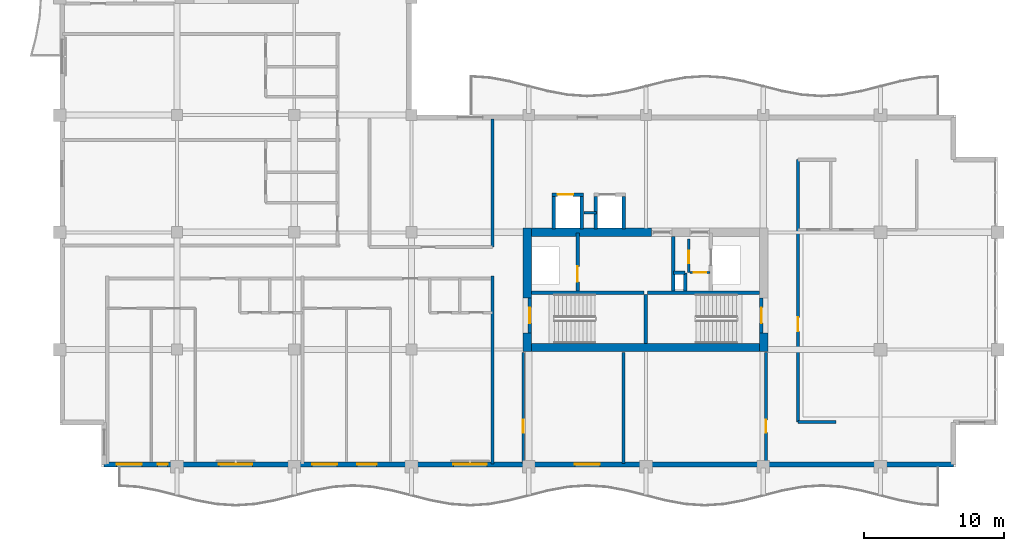
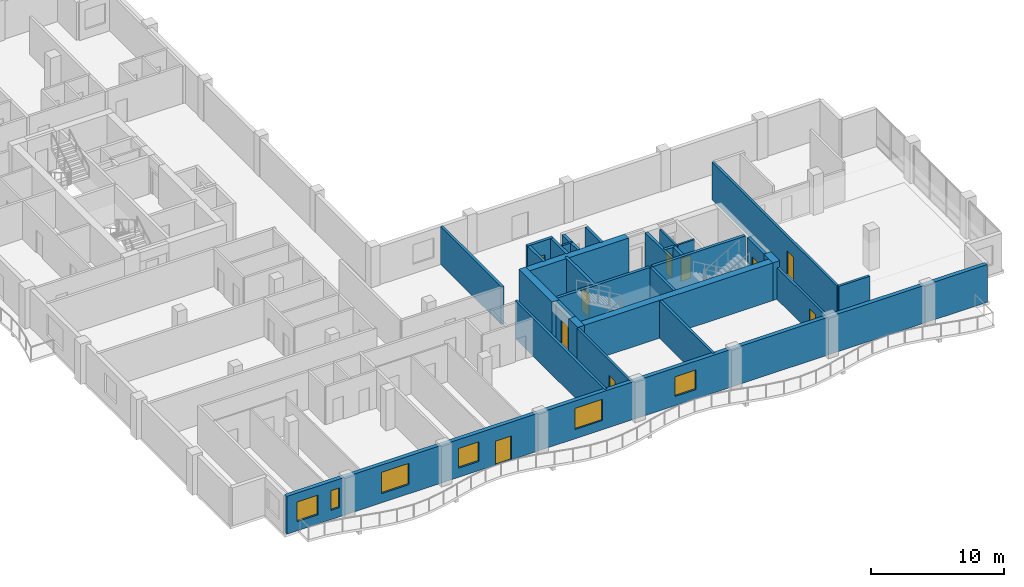
# One storey, part 7 of 16: 30 walls, 10 doors, 6 windows, 16 openings.
"""IFC4 building model written with IfcOpenShell, lengths in metres."""

from ifc_helpers import new_model, si_unit, direction, frame, frame_2d, origin, place, context, subcontext, project, spatial, rectangle, extrude, material, layer, layer_set, type_object, element, fill, save


model = new_model("IFC4")

# Units and contexts
model_context = context("Model", 3, precision=1e-05, world=origin(), true_north=direction((0.0, 1.0)))
body_context = subcontext(model_context, "Body", "Model", "MODEL_VIEW")
ifc_project = project(units=[si_unit("LENGTHUNIT", "METRE"), si_unit("AREAUNIT", "SQUARE_METRE"), si_unit("VOLUMEUNIT", "CUBIC_METRE"), si_unit("PLANEANGLEUNIT", "RADIAN"), si_unit("MASSUNIT", "GRAM", prefix="KILO")], contexts=[model_context])

# Site, building, storey
site_placement = place(None, origin())
site = spatial("IfcSite", under=ifc_project, at=site_placement, CompositionType="ELEMENT")
building_placement = place(site_placement, origin())
building = spatial("IfcBuilding", under=site, at=building_placement, Name="Koriwani Terraces Tower", CompositionType="ELEMENT")
storey_placement = place(building_placement, frame((0.0, 0.0, 260.10009765625)))
storey = spatial("IfcBuildingStorey", under=building, at=storey_placement, Name="L64", CompositionType="ELEMENT", Elevation=260.10009765625)

# Walls
ifc_material_1 = material(Name="Concrete C60/75", Category="concrete")
ifc_layer_1 = layer(ifc_material_1, 0.60009765625, Name="Concrete C60/75")
ifc_layer_set_1 = layer_set([ifc_layer_1], Name="Concrete C60/75")
wall_type_1 = type_object("IfcWallType", Name="WALL_CORE_RC_600", PredefinedType="SHEAR", material=ifc_layer_set_1)
wall_1_placement = place(storey_placement, frame((41.89990234375, 16.64990234375, 0.0), z_axis=(0.0, 0.0, 1.0), x_axis=(0.0, 1.0, 0.0)))
element("IfcWall", 1, at=wall_1_placement, inside=storey, type_object=wall_type_1, Name="L64 East Split Core Shear Wall W1", PredefinedType="SHEAR", context=body_context, shape_type="SweptSolid", body=[
    extrude(rectangle(XDim=1.35009765625, YDim=0.60009765625, at=frame_2d((0.675048828125, 0.0))), origin(), (0.0, 0.0, 1.0), 3.469970703125),
])
wall_2_placement = place(storey_placement, frame((41.89990234375, 20.5, 0.0), z_axis=(0.0, 0.0, 1.0), x_axis=(0.0, 1.0, 0.0)))
element("IfcWall", 2, at=wall_2_placement, inside=storey, type_object=wall_type_1, Name="L64 East Split Core Shear Wall W2", PredefinedType="SHEAR", context=body_context, shape_type="SweptSolid", body=[
    extrude(rectangle(XDim=5.0, YDim=0.60009765625, at=frame_2d((2.5, 0.0))), origin(), (0.0, 0.0, 1.0), 3.469970703125),
])
wall_3_placement = place(storey_placement, frame((58.85009765625, 16.64990234375, 0.0), z_axis=(0.0, 0.0, 1.0), x_axis=(0.0, 1.0, 0.0)))
element("IfcWall", 3, at=wall_3_placement, inside=storey, type_object=wall_type_1, Name="L64 East Split Core Shear Wall E1", PredefinedType="SHEAR", context=body_context, shape_type="SweptSolid", body=[
    extrude(rectangle(XDim=1.35009765625, YDim=0.60009765625, at=frame_2d((0.675048828125, 0.0))), origin(), (0.0, 0.0, 1.0), 3.469970703125),
])
wall_4_placement = place(storey_placement, frame((42.199951171875, 16.949951171875, 0.0), z_axis=(0.0, 0.0, 1.0), x_axis=(1.0, 0.0, 0.0)))
element("IfcWall", 4, at=wall_4_placement, inside=storey, type_object=wall_type_1, Name="L64 East Split Core Shear Wall S1", PredefinedType="SHEAR", context=body_context, shape_type="SweptSolid", body=[
    extrude(rectangle(XDim=16.35009765625, YDim=0.60009765625, at=frame_2d((8.175048828125, 0.0))), origin(), (0.0, 0.0, 1.0), 3.469970703125),
])
wall_5_placement = place(storey_placement, frame((42.199951171875, 25.199951171875, 0.0), z_axis=(0.0, 0.0, 1.0), x_axis=(1.0, 0.0, 0.0)))
element("IfcWall", 5, at=wall_5_placement, inside=storey, type_object=wall_type_1, Name="L64 East Split Core Shear Wall N1", PredefinedType="SHEAR", context=body_context, shape_type="SweptSolid", body=[
    extrude(rectangle(XDim=8.60009765625, YDim=0.60009765625, at=frame_2d((4.300048828125, 0.0))), origin(), (0.0, 0.0, 1.0), 3.469970703125),
])

# Wall, opening, door
ifc_material_2 = material(Name="Autoclaved Cellular Concrete Blockwork", Category="masonry")
ifc_layer_2 = layer(ifc_material_2, 0.199951171875, Name="Autoclaved Cellular Concrete Blockwork")
ifc_layer_set_2 = layer_set([ifc_layer_2], Name="Autoclaved Cellular Concrete Blockwork")
wall_type_2 = type_object("IfcWallType", Name="WALL_CORRIDOR_200", PredefinedType="PARTITIONING", material=ifc_layer_set_2)
wall_6_placement = place(storey_placement, frame((41.60009765625, 8.64990234375, 0.0), z_axis=(0.0, 0.0, 1.0), x_axis=(0.0, 1.0, 0.0)))
wall_6 = element("IfcWall", 6, at=wall_6_placement, inside=storey, type_object=wall_type_2, Name="L64 Interior Wall WRZ4-EW-L64", PredefinedType="PARTITIONING", context=body_context, shape_type="SweptSolid", body=[
    extrude(rectangle(XDim=7.9501953125, YDim=0.199951171875, at=frame_2d((3.97509765625, 0.0))), origin(), (0.0, 0.0, 1.0), 3.469970703125),
])
opening_1_placement = place(wall_6_placement, frame((2.199951171875, 0.0, 0.0)))
opening_1 = element("IfcOpeningElement", 7, at=opening_1_placement, cuts=wall_6, Name="Opening D-06", PredefinedType="OPENING", context=body_context, shape_type="SweptSolid", body=[
    extrude(rectangle(XDim=0.919921875, YDim=2.10009765625, at=frame_2d((0.4599609375, 1.050048828125))), frame((0.0, 0.10986328125, 0.0), z_axis=(0.0, -1.0, 0.0), x_axis=(1.0, 0.0, 0.0)), (0.0, 0.0, 1.0), 0.219970703125),
])
ifc_material_3 = material(Name="Architectural Oak Fire Door", Category="wood")
door_type_1 = type_object("IfcDoorType", Name="DOOR_ROOM_INT_920X2100", OperationType="NOTDEFINED", PredefinedType="DOOR", material=ifc_material_3)
door_1_placement = place(opening_1_placement, origin())
door_1 = element("IfcDoor", 8, at=door_1_placement, inside=storey, type_object=door_type_1, Name="L64 Resident Library Study Door", OperationType="SINGLE_SWING_LEFT", OverallHeight=2.10009765625, OverallWidth=0.919921875, PredefinedType="DOOR", context=body_context, shape_type="SweptSolid", body=[
    extrude(rectangle(XDim=0.919921875, YDim=2.10009765625, at=frame_2d((0.4599609375, 1.050048828125))), frame((0.0, 0.02490234375, 0.0), z_axis=(0.0, -1.0, 0.0), x_axis=(1.0, 0.0, 0.0)), (0.0, 0.0, 1.0), 0.050048828125),
])
fill(opening_1, door_1)

wall_7_placement = place(storey_placement, frame((59.0, 8.64990234375, 0.0), z_axis=(0.0, 0.0, 1.0), x_axis=(0.0, 1.0, 0.0)))
wall_7 = element("IfcWall", 9, at=wall_7_placement, inside=storey, type_object=wall_type_2, Name="L64 Interior Wall WRZ4-EE-L64", PredefinedType="PARTITIONING", context=body_context, shape_type="SweptSolid", body=[
    extrude(rectangle(XDim=7.9501953125, YDim=0.199951171875, at=frame_2d((3.97509765625, 0.0))), origin(), (0.0, 0.0, 1.0), 2.930908203125),
])
opening_2_placement = place(wall_7_placement, frame((2.199951171875, 0.0, 0.0)))
opening_2 = element("IfcOpeningElement", 10, at=opening_2_placement, cuts=wall_7, Name="Opening D-06", PredefinedType="OPENING", context=body_context, shape_type="SweptSolid", body=[
    extrude(rectangle(XDim=0.919921875, YDim=2.10009765625, at=frame_2d((0.4599609375, 1.050048828125))), frame((0.0, 0.10986328125, 0.0), z_axis=(0.0, -1.0, 0.0), x_axis=(1.0, 0.0, 0.0)), (0.0, 0.0, 1.0), 0.219970703125),
])
door_2_placement = place(opening_2_placement, origin())
door_2 = element("IfcDoor", 11, at=door_2_placement, inside=storey, type_object=door_type_1, Name="L64 Resident Laundry Room Door", OperationType="SINGLE_SWING_RIGHT", OverallHeight=2.10009765625, OverallWidth=0.919921875, PredefinedType="DOOR", context=body_context, shape_type="SweptSolid", body=[
    extrude(rectangle(XDim=0.919921875, YDim=2.10009765625, at=frame_2d((0.4599609375, 1.050048828125))), frame((0.0, 0.02490234375, 0.0), z_axis=(0.0, -1.0, 0.0), x_axis=(1.0, 0.0, 0.0)), (0.0, 0.0, 1.0), 0.050048828125),
])
fill(opening_2, door_2)

wall_8_placement = place(storey_placement, frame((61.300048828125, 11.60009765625, 0.0), z_axis=(0.0, 0.0, 1.0), x_axis=(0.0, 1.0, 0.0)))
wall_8 = element("IfcWall", 12, at=wall_8_placement, inside=storey, type_object=wall_type_2, Name="L64 Interior Wall WET-W-L64", PredefinedType="PARTITIONING", context=body_context, shape_type="SweptSolid", body=[
    extrude(rectangle(XDim=18.7998046875, YDim=0.199951171875, at=frame_2d((9.39990234375, 0.0))), origin(), (0.0, 0.0, 1.0), 3.469970703125),
])
opening_3_placement = place(wall_8_placement, frame((6.5, 0.0, 0.0)))
opening_3 = element("IfcOpeningElement", 13, at=opening_3_placement, cuts=wall_8, Name="Opening D-05", PredefinedType="OPENING", context=body_context, shape_type="SweptSolid", body=[
    extrude(rectangle(XDim=1.0, YDim=2.14990234375, at=frame_2d((0.5, 1.074951171875))), frame((0.0, 0.10986328125, 0.0), z_axis=(0.0, -1.0, 0.0), x_axis=(1.0, 0.0, 0.0)), (0.0, 0.0, 1.0), 0.219970703125),
])
door_type_2 = type_object("IfcDoorType", Name="DOOR_SUITE_ENTRY_1000X2150", OperationType="NOTDEFINED", PredefinedType="DOOR", material=ifc_material_3)
door_3_placement = place(opening_3_placement, origin())
door_3 = element("IfcDoor", 14, at=door_3_placement, inside=storey, type_object=door_type_2, Name="Apartment 64ET Entrance Door", OperationType="SINGLE_SWING_RIGHT", OverallHeight=2.14990234375, OverallWidth=1.0, PredefinedType="DOOR", context=body_context, shape_type="SweptSolid", body=[
    extrude(rectangle(XDim=1.0, YDim=2.14990234375, at=frame_2d((0.5, 1.074951171875))), frame((0.0, 0.02490234375, 0.0), z_axis=(0.0, -1.0, 0.0), x_axis=(1.0, 0.0, 0.0)), (0.0, 0.0, 1.0), 0.050048828125),
])
fill(opening_3, door_3)

# Walls
ifc_layer_3 = layer(ifc_material_2, 0.219970703125, Name="Autoclaved Cellular Concrete Blockwork")
ifc_layer_set_3 = layer_set([ifc_layer_3], Name="Autoclaved Cellular Concrete Blockwork")
wall_type_3 = type_object("IfcWallType", Name="WALL_DEMISING_220", PredefinedType="PARTITIONING", material=ifc_layer_set_3)
wall_9_placement = place(storey_placement, frame((39.39990234375, 24.14990234375, 0.0), z_axis=(0.0, 0.0, 1.0), x_axis=(0.0, 1.0, 0.0)))
element("IfcWall", 15, at=wall_9_placement, inside=storey, type_object=wall_type_3, Name="L64 Interior Wall WIC4SE-L64", PredefinedType="PARTITIONING", context=body_context, shape_type="SweptSolid", body=[
    extrude(rectangle(XDim=9.150146484375, YDim=0.219970703125, at=frame_2d((4.5751953125, 0.0))), origin(), (0.0, 0.0, 1.0), 3.469970703125),
])
wall_10_placement = place(storey_placement, frame((48.800048828125, 8.64990234375, 0.0), z_axis=(0.0, 0.0, 1.0), x_axis=(0.0, 1.0, 0.0)))
element("IfcWall", 16, at=wall_10_placement, inside=storey, type_object=wall_type_3, Name="L64 Interior Wall WRZ4-EM-L64", PredefinedType="PARTITIONING", context=body_context, shape_type="SweptSolid", body=[
    extrude(rectangle(XDim=7.9501953125, YDim=0.219970703125, at=frame_2d((3.97509765625, 0.0))), origin(), (0.0, 0.0, 1.0), 3.469970703125),
])
wall_11_placement = place(storey_placement, frame((39.39990234375, 8.60009765625, 0.0), z_axis=(0.0, 0.0, 1.0), x_axis=(0.0, 1.0, 0.0)))
element("IfcWall", 17, at=wall_11_placement, inside=storey, type_object=wall_type_3, Name="L64 Interior Wall WRDEME-L64-SW", PredefinedType="PARTITIONING", context=body_context, shape_type="SweptSolid", body=[
    extrude(rectangle(XDim=13.47998046875, YDim=0.219970703125, at=frame_2d((6.739990234375, 0.0))), origin(), (0.0, 0.0, 1.0), 3.469970703125),
])
wall_12_placement = place(storey_placement, frame((61.300048828125, 11.60009765625, 0.0), z_axis=(0.0, 0.0, 1.0), x_axis=(1.0, 0.0, 0.0)))
element("IfcWall", 18, at=wall_12_placement, inside=storey, type_object=wall_type_3, Name="L64 Interior Wall WET-S-L64", PredefinedType="PARTITIONING", context=body_context, shape_type="SweptSolid", body=[
    extrude(rectangle(XDim=2.699951171875, YDim=0.219970703125, at=frame_2d((1.35009765625, 0.0))), origin(), (0.0, 0.0, 1.0), 3.469970703125),
])

# Wall, openings, door, windows
ifc_material_4 = material(Name="Concrete C50/60", Category="concrete")
ifc_layer_4 = layer(ifc_material_4, 0.35009765625, Name="Concrete C50/60")
ifc_layer_set_4 = layer_set([ifc_layer_4], Name="Concrete C50/60")
wall_type_4 = type_object("IfcWallType", Name="WALL_EXT_BRUTALIST_350", PredefinedType="STANDARD", material=ifc_layer_set_4)
wall_13_placement = place(storey_placement, frame((72.425048828125, 8.574951171875, 0.0), z_axis=(0.0, 0.0, 1.0), x_axis=(-1.0, 0.0, 0.0)))
wall_13 = element("IfcWall", 19, at=wall_13_placement, inside=storey, type_object=wall_type_4, Name="L64 Fair-Faced Brutalist Exterior Wall (S)", PredefinedType="STANDARD", context=body_context, shape_type="SweptSolid", body=[
    extrude(rectangle(XDim=60.85009765625, YDim=0.35009765625, at=frame_2d((30.425048828125, 0.0))), origin(), (0.0, 0.0, 1.0), 3.469970703125),
])
opening_4_placement = place(wall_13_placement, frame((41.324951171875, 0.0, 0.0)))
opening_4 = element("IfcOpeningElement", 20, at=opening_4_placement, cuts=wall_13, Name="Opening D-09", PredefinedType="OPENING", context=body_context, shape_type="SweptSolid", body=[
    extrude(rectangle(XDim=1.39990234375, YDim=2.199951171875, at=frame_2d((0.699951171875, 1.10009765625))), frame((0.0, 0.18505859375, 0.0), z_axis=(0.0, -1.0, 0.0), x_axis=(1.0, 0.0, 0.0)), (0.0, 0.0, 1.0), 0.3701171875),
])
opening_5_placement = place(wall_13_placement, frame((50.22509765625, 0.0, 0.85009765625)))
opening_5 = element("IfcOpeningElement", 21, at=opening_5_placement, cuts=wall_13, Name="Opening W-03", PredefinedType="OPENING", context=body_context, shape_type="SweptSolid", body=[
    extrude(rectangle(XDim=2.39990234375, YDim=1.949951171875, at=frame_2d((1.199951171875, 0.97509765625))), frame((0.0, 0.18505859375, 0.0), z_axis=(0.0, -1.0, 0.0), x_axis=(1.0, 0.0, 0.0)), (0.0, 0.0, 1.0), 0.3701171875),
])
opening_6_placement = place(wall_13_placement, frame((33.425048828125, 0.0, 0.85009765625)))
opening_6 = element("IfcOpeningElement", 22, at=opening_6_placement, cuts=wall_13, Name="Opening W-03", PredefinedType="OPENING", context=body_context, shape_type="SweptSolid", body=[
    extrude(rectangle(XDim=2.39990234375, YDim=1.949951171875, at=frame_2d((1.199951171875, 0.97509765625))), frame((0.0, 0.18505859375, 0.0), z_axis=(0.0, -1.0, 0.0), x_axis=(1.0, 0.0, 0.0)), (0.0, 0.0, 1.0), 0.3701171875),
])
opening_7_placement = place(wall_13_placement, frame((25.324951171875, 0.0, 0.85009765625)))
opening_7 = element("IfcOpeningElement", 23, at=opening_7_placement, cuts=wall_13, Name="Opening W-04", PredefinedType="OPENING", context=body_context, shape_type="SweptSolid", body=[
    extrude(rectangle(XDim=1.800048828125, YDim=1.800048828125, at=frame_2d((0.89990234375, 0.89990234375))), frame((0.0, 0.18505859375, 0.0), z_axis=(0.0, -1.0, 0.0), x_axis=(1.0, 0.0, 0.0)), (0.0, 0.0, 1.0), 0.3701171875),
])
opening_8_placement = place(wall_13_placement, frame((58.14990234375, 0.0, 0.85009765625)))
opening_8 = element("IfcOpeningElement", 24, at=opening_8_placement, cuts=wall_13, Name="Opening W-04", PredefinedType="OPENING", context=body_context, shape_type="SweptSolid", body=[
    extrude(rectangle(XDim=1.800048828125, YDim=1.800048828125, at=frame_2d((0.89990234375, 0.89990234375))), frame((0.0, 0.18505859375, 0.0), z_axis=(0.0, -1.0, 0.0), x_axis=(1.0, 0.0, 0.0)), (0.0, 0.0, 1.0), 0.3701171875),
])
opening_9_placement = place(wall_13_placement, frame((56.2900390625, 0.0, 0.85009765625)))
opening_9 = element("IfcOpeningElement", 25, at=opening_9_placement, cuts=wall_13, Name="Opening W-08", PredefinedType="OPENING", context=body_context, shape_type="SweptSolid", body=[
    extrude(rectangle(XDim=0.719970703125, YDim=1.800048828125, at=frame_2d((0.35986328125, 0.89990234375))), frame((0.0, 0.18505859375, 0.0), z_axis=(0.0, -1.0, 0.0), x_axis=(1.0, 0.0, 0.0)), (0.0, 0.0, 1.0), 0.3701171875),
])
opening_10_placement = place(wall_13_placement, frame((44.14990234375, 0.0, 0.85009765625)))
opening_10 = element("IfcOpeningElement", 26, at=opening_10_placement, cuts=wall_13, Name="Opening W-04", PredefinedType="OPENING", context=body_context, shape_type="SweptSolid", body=[
    extrude(rectangle(XDim=1.800048828125, YDim=1.800048828125, at=frame_2d((0.89990234375, 0.89990234375))), frame((0.0, 0.18505859375, 0.0), z_axis=(0.0, -1.0, 0.0), x_axis=(1.0, 0.0, 0.0)), (0.0, 0.0, 1.0), 0.3701171875),
])
ifc_material_5 = material(Name="Anodised Bronze Aluminium", Category="aluminium")
door_type_3 = type_object("IfcDoorType", Name="DOOR_BALCONY_GLAZED_1400X2200", OperationType="NOTDEFINED", PredefinedType="DOOR", material=ifc_material_5)
door_4_placement = place(opening_4_placement, origin())
door_4 = element("IfcDoor", 27, at=door_4_placement, inside=storey, type_object=door_type_3, Name="L64 South Balcony Glazed Door", OperationType="SINGLE_SWING_LEFT", OverallHeight=2.199951171875, OverallWidth=1.39990234375, PredefinedType="DOOR", context=body_context, shape_type="SweptSolid", body=[
    extrude(rectangle(XDim=1.39990234375, YDim=2.199951171875, at=frame_2d((0.699951171875, 1.10009765625))), frame((0.0, 0.02490234375, 0.0), z_axis=(0.0, -1.0, 0.0), x_axis=(1.0, 0.0, 0.0)), (0.0, 0.0, 1.0), 0.050048828125),
])
fill(opening_4, door_4)
ifc_material_6 = material(Name="Tempered Laminated Low-E Glass", Category="glass")
window_type_1 = type_object("IfcWindowType", Name="WIN_RES_BED_1800X1800", PartitioningType="DOUBLE_PANEL_VERTICAL", PredefinedType="WINDOW", material=ifc_material_6)
window_1_placement = place(opening_7_placement, origin())
window_1 = element("IfcWindow", 28, at=window_1_placement, inside=storey, type_object=window_type_1, Name="L64 Exterior Window (S-12)", OverallHeight=1.800048828125, OverallWidth=1.800048828125, PartitioningType="SINGLE_PANEL", PredefinedType="WINDOW", context=body_context, shape_type="SweptSolid", body=[
    extrude(rectangle(XDim=1.800048828125, YDim=1.800048828125, at=frame_2d((0.89990234375, 0.89990234375))), frame((0.0, 0.030029296875, 0.0), z_axis=(0.0, -1.0, 0.0), x_axis=(1.0, 0.0, 0.0)), (0.0, 0.0, 1.0), 0.06005859375),
])
fill(opening_7, window_1)
window_2_placement = place(opening_8_placement, origin())
window_2 = element("IfcWindow", 29, at=window_2_placement, inside=storey, type_object=window_type_1, Name="L64 Exterior Window (S-R34)", OverallHeight=1.800048828125, OverallWidth=1.800048828125, PartitioningType="SINGLE_PANEL", PredefinedType="WINDOW", context=body_context, shape_type="SweptSolid", body=[
    extrude(rectangle(XDim=1.800048828125, YDim=1.800048828125, at=frame_2d((0.89990234375, 0.89990234375))), frame((0.0, 0.030029296875, 0.0), z_axis=(0.0, -1.0, 0.0), x_axis=(1.0, 0.0, 0.0)), (0.0, 0.0, 1.0), 0.06005859375),
])
fill(opening_8, window_2)
window_3_placement = place(opening_10_placement, origin())
window_3 = element("IfcWindow", 30, at=window_3_placement, inside=storey, type_object=window_type_1, Name="L64 Exterior Window (S-R39)", OverallHeight=1.800048828125, OverallWidth=1.800048828125, PartitioningType="SINGLE_PANEL", PredefinedType="WINDOW", context=body_context, shape_type="SweptSolid", body=[
    extrude(rectangle(XDim=1.800048828125, YDim=1.800048828125, at=frame_2d((0.89990234375, 0.89990234375))), frame((0.0, 0.030029296875, 0.0), z_axis=(0.0, -1.0, 0.0), x_axis=(1.0, 0.0, 0.0)), (0.0, 0.0, 1.0), 0.06005859375),
])
fill(opening_10, window_3)
window_type_2 = type_object("IfcWindowType", Name="WIN_RES_CASEMENT_1200X1800", PartitioningType="SINGLE_PANEL", PredefinedType="WINDOW", material=ifc_material_6)
window_4_placement = place(opening_9_placement, origin())
window_4 = element("IfcWindow", 31, at=window_4_placement, inside=storey, type_object=window_type_2, Name="L64 Exterior Window (S-R35)", OverallHeight=1.800048828125, OverallWidth=0.719970703125, PartitioningType="SINGLE_PANEL", PredefinedType="WINDOW", context=body_context, shape_type="SweptSolid", body=[
    extrude(rectangle(XDim=0.719970703125, YDim=1.800048828125, at=frame_2d((0.35986328125, 0.89990234375))), frame((0.0, 0.030029296875, 0.0), z_axis=(0.0, -1.0, 0.0), x_axis=(1.0, 0.0, 0.0)), (0.0, 0.0, 1.0), 0.06005859375),
])
fill(opening_9, window_4)
window_type_3 = type_object("IfcWindowType", Name="WIN_RES_LIVING_2400X1950", PartitioningType="DOUBLE_PANEL_VERTICAL", PredefinedType="WINDOW", material=ifc_material_6)
window_5_placement = place(opening_5_placement, origin())
window_5 = element("IfcWindow", 32, at=window_5_placement, inside=storey, type_object=window_type_3, Name="L64 Exterior Window (S-3)", OverallHeight=1.949951171875, OverallWidth=2.39990234375, PartitioningType="SINGLE_PANEL", PredefinedType="WINDOW", context=body_context, shape_type="SweptSolid", body=[
    extrude(rectangle(XDim=2.39990234375, YDim=1.949951171875, at=frame_2d((1.199951171875, 0.97509765625))), frame((0.0, 0.030029296875, 0.0), z_axis=(0.0, -1.0, 0.0), x_axis=(1.0, 0.0, 0.0)), (0.0, 0.0, 1.0), 0.06005859375),
])
fill(opening_5, window_5)
window_6_placement = place(opening_6_placement, origin())
window_6 = element("IfcWindow", 33, at=window_6_placement, inside=storey, type_object=window_type_3, Name="L64 Exterior Window (S-9)", OverallHeight=1.949951171875, OverallWidth=2.39990234375, PartitioningType="SINGLE_PANEL", PredefinedType="WINDOW", context=body_context, shape_type="SweptSolid", body=[
    extrude(rectangle(XDim=2.39990234375, YDim=1.949951171875, at=frame_2d((1.199951171875, 0.97509765625))), frame((0.0, 0.030029296875, 0.0), z_axis=(0.0, -1.0, 0.0), x_axis=(1.0, 0.0, 0.0)), (0.0, 0.0, 1.0), 0.06005859375),
])
fill(opening_6, window_6)

# Walls
ifc_material_7 = material(Name="Concrete C40/50", Category="concrete")
ifc_layer_5 = layer(ifc_material_7, 0.25, Name="Concrete C40/50")
ifc_layer_set_5 = layer_set([ifc_layer_5], Name="Concrete C40/50")
wall_type_5 = type_object("IfcWallType", Name="WALL_SHAFT_RATED_250", PredefinedType="SOLIDWALL", material=ifc_layer_set_5)
for number, where, z_axis, x_axis, name in (
    (34, (42.199951171875, 20.875, 0.0), (0.0, 0.0, 1.0), (1.0, 0.0, 0.0), "L64 East Split Core Web Wall MID1"),
    (35, (50.5, 20.875, 0.0), (0.0, 0.0, 1.0), (1.0, 0.0, 0.0), "L64 East Split Core Web Wall MID2"),
):
    element("IfcWall", number, at=place(storey_placement, frame(where, z_axis=z_axis, x_axis=x_axis)), inside=storey, type_object=wall_type_5, Name=name, PredefinedType="SOLIDWALL", context=body_context, shape_type="SweptSolid", body=[
        extrude(rectangle(XDim=8.050048828125, YDim=0.25, at=frame_2d((4.02490234375, 0.0))), origin(), (0.0, 0.0, 1.0), 3.469970703125),
    ])
wall_14_placement = place(storey_placement, frame((50.375, 17.25, 0.0), z_axis=(0.0, 0.0, 1.0), x_axis=(0.0, 1.0, 0.0)))
element("IfcWall", 36, at=wall_14_placement, inside=storey, type_object=wall_type_5, Name="L64 East Split Core Stair Dividing Wall", PredefinedType="SOLIDWALL", context=body_context, shape_type="SweptSolid", body=[
    extrude(rectangle(XDim=3.5, YDim=0.25, at=frame_2d((1.75, 0.0))), origin(), (0.0, 0.0, 1.0), 3.469970703125),
])

# Wall, opening, door
wall_15_placement = place(storey_placement, frame((42.074951171875, 18.0, 0.0), z_axis=(0.0, 0.0, 1.0), x_axis=(0.0, 1.0, 0.0)))
wall_15 = element("IfcWall", 37, at=wall_15_placement, inside=storey, type_object=wall_type_5, Name="L64 Interior Wall WIN-CE-L64-STW", PredefinedType="SOLIDWALL", context=body_context, shape_type="SweptSolid", body=[
    extrude(rectangle(XDim=2.5, YDim=0.25, at=frame_2d((1.25, 0.0))), origin(), (0.0, 0.0, 1.0), 3.469970703125),
])
opening_11_placement = place(wall_15_placement, frame((0.699951171875, 0.0, 0.0)))
opening_11 = element("IfcOpeningElement", 38, at=opening_11_placement, cuts=wall_15, Name="Opening D-03", PredefinedType="OPENING", context=body_context, shape_type="SweptSolid", body=[
    extrude(rectangle(XDim=1.10009765625, YDim=2.14990234375, at=frame_2d((0.550048828125, 1.074951171875))), frame((0.0, 0.135009765625, 0.0), z_axis=(0.0, -1.0, 0.0), x_axis=(1.0, 0.0, 0.0)), (0.0, 0.0, 1.0), 0.27001953125),
])
ifc_material_8 = material(Name="Steel ASTM A572 Grade 50", Category="steel")
door_type_4 = type_object("IfcDoorType", Name="DOOR_STAIR_FIRE_1100X2150", OperationType="NOTDEFINED", PredefinedType="DOOR", material=ifc_material_8)
door_5_placement = place(opening_11_placement, origin())
door_5 = element("IfcDoor", 39, at=door_5_placement, inside=storey, type_object=door_type_4, Name="L64 Exit Stair ST-E1 Door", OperationType="SINGLE_SWING_RIGHT", OverallHeight=2.14990234375, OverallWidth=1.10009765625, PredefinedType="DOOR", context=body_context, shape_type="SweptSolid", body=[
    extrude(rectangle(XDim=1.10009765625, YDim=2.14990234375, at=frame_2d((0.550048828125, 1.074951171875))), frame((0.0, 0.02490234375, 0.0), z_axis=(0.0, -1.0, 0.0), x_axis=(1.0, 0.0, 0.0)), (0.0, 0.0, 1.0), 0.050048828125),
])
fill(opening_11, door_5)

wall_16_placement = place(storey_placement, frame((58.675048828125, 18.0, 0.0), z_axis=(0.0, 0.0, 1.0), x_axis=(0.0, 1.0, 0.0)))
wall_16 = element("IfcWall", 40, at=wall_16_placement, inside=storey, type_object=wall_type_5, Name="L64 Interior Wall WIN-CE-L64-STE", PredefinedType="SOLIDWALL", context=body_context, shape_type="SweptSolid", body=[
    extrude(rectangle(XDim=2.5, YDim=0.25, at=frame_2d((1.25, 0.0))), origin(), (0.0, 0.0, 1.0), 3.469970703125),
])
opening_12_placement = place(wall_16_placement, frame((0.699951171875, 0.0, 0.0)))
opening_12 = element("IfcOpeningElement", 41, at=opening_12_placement, cuts=wall_16, Name="Opening D-03", PredefinedType="OPENING", context=body_context, shape_type="SweptSolid", body=[
    extrude(rectangle(XDim=1.10009765625, YDim=2.14990234375, at=frame_2d((0.550048828125, 1.074951171875))), frame((0.0, 0.135009765625, 0.0), z_axis=(0.0, -1.0, 0.0), x_axis=(1.0, 0.0, 0.0)), (0.0, 0.0, 1.0), 0.27001953125),
])
door_6_placement = place(opening_12_placement, origin())
door_6 = element("IfcDoor", 42, at=door_6_placement, inside=storey, type_object=door_type_4, Name="L64 Exit Stair ST-E2 Door", OperationType="SINGLE_SWING_LEFT", OverallHeight=2.14990234375, OverallWidth=1.10009765625, PredefinedType="DOOR", context=body_context, shape_type="SweptSolid", body=[
    extrude(rectangle(XDim=1.10009765625, YDim=2.14990234375, at=frame_2d((0.550048828125, 1.074951171875))), frame((0.0, 0.02490234375, 0.0), z_axis=(0.0, -1.0, 0.0), x_axis=(1.0, 0.0, 0.0)), (0.0, 0.0, 1.0), 0.050048828125),
])
fill(opening_12, door_6)

wall_17_placement = place(storey_placement, frame((45.5, 21.0, 0.0), z_axis=(0.0, 0.0, 1.0), x_axis=(0.0, 1.0, 0.0)))
wall_17 = element("IfcWall", 43, at=wall_17_placement, inside=storey, type_object=wall_type_5, Name="L64 Interior Wall WIN-CE-L64-FE", PredefinedType="SOLIDWALL", context=body_context, shape_type="SweptSolid", body=[
    extrude(rectangle(XDim=4.14990234375, YDim=0.25, at=frame_2d((2.074951171875, 0.0))), origin(), (0.0, 0.0, 1.0), 3.469970703125),
])
opening_13_placement = place(wall_17_placement, frame((0.64990234375, 0.0, 0.0)))
opening_13 = element("IfcOpeningElement", 44, at=opening_13_placement, cuts=wall_17, Name="Opening LD-01", PredefinedType="OPENING", context=body_context, shape_type="SweptSolid", body=[
    extrude(rectangle(XDim=1.10009765625, YDim=2.14990234375, at=frame_2d((0.550048828125, 1.074951171875))), frame((0.0, 0.135009765625, 0.0), z_axis=(0.0, -1.0, 0.0), x_axis=(1.0, 0.0, 0.0)), (0.0, 0.0, 1.0), 0.27001953125),
])
door_type_5 = type_object("IfcDoorType", Name="DOOR_LIFT_LANDING_1100X2200", OperationType="NOTDEFINED", PredefinedType="DOOR", material=ifc_material_8)
door_7_placement = place(opening_13_placement, origin())
door_7 = element("IfcDoor", 45, at=door_7_placement, inside=storey, type_object=door_type_5, Name="L64 Firefighting Lift FE-02 Landing Door", OperationType="SLIDING_TO_LEFT", OverallHeight=2.14990234375, OverallWidth=1.10009765625, PredefinedType="DOOR", context=body_context, shape_type="SweptSolid", body=[
    extrude(rectangle(XDim=1.10009765625, YDim=2.14990234375, at=frame_2d((0.550048828125, 1.074951171875))), frame((0.0, 0.02490234375, 0.0), z_axis=(0.0, -1.0, 0.0), x_axis=(1.0, 0.0, 0.0)), (0.0, 0.0, 1.0), 0.050048828125),
])
fill(opening_13, door_7)

# Walls
wall_18_placement = place(storey_placement, frame((52.340087890625, 21.0, 0.0), z_axis=(0.0, 0.0, 1.0), x_axis=(0.0, 1.0, 0.0)))
element("IfcWall", 46, at=wall_18_placement, inside=storey, type_object=wall_type_5, Name="L64 Interior Wall WIN-CE-L64-FFE", PredefinedType="SOLIDWALL", context=body_context, shape_type="SweptSolid", body=[
    extrude(rectangle(XDim=3.89990234375, YDim=0.25, at=frame_2d((1.949951171875, 0.0))), origin(), (0.0, 0.0, 1.0), 3.469970703125),
])
wall_19_placement = place(storey_placement, frame((53.199951171875, 21.0, 0.0), z_axis=(0.0, 0.0, 1.0), x_axis=(0.0, 1.0, 0.0)))
element("IfcWall", 47, at=wall_19_placement, inside=storey, type_object=wall_type_5, Name="L64 Interior Wall WIN-CE-L64-RS1", PredefinedType="SOLIDWALL", context=body_context, shape_type="SweptSolid", body=[
    extrude(rectangle(XDim=1.300048828125, YDim=0.25, at=frame_2d((0.64990234375, 0.0))), origin(), (0.0, 0.0, 1.0), 3.469970703125),
])
wall_20_placement = place(storey_placement, frame((52.360107421875, 22.300048828125, 0.0), z_axis=(0.0, 0.0, 1.0), x_axis=(1.0, 0.0, 0.0)))
element("IfcWall", 48, at=wall_20_placement, inside=storey, type_object=wall_type_5, Name="L64 Interior Wall WIN-CE-L64-RS2", PredefinedType="SOLIDWALL", context=body_context, shape_type="SweptSolid", body=[
    extrude(rectangle(XDim=0.83984375, YDim=0.25, at=frame_2d((0.419921875, 0.0))), origin(), (0.0, 0.0, 1.0), 3.469970703125),
])

# Wall, opening, door
wall_21_placement = place(storey_placement, frame((43.675048828125, 27.89990234375, 0.0), z_axis=(0.0, 0.0, 1.0), x_axis=(1.0, 0.0, 0.0)))
wall_21 = element("IfcWall", 49, at=wall_21_placement, inside=storey, type_object=wall_type_5, Name="L64 Interior Wall WIN-LF-PE-H3-L64-F", PredefinedType="SOLIDWALL", context=body_context, shape_type="SweptSolid", body=[
    extrude(rectangle(XDim=2.25, YDim=0.25, at=frame_2d((1.125, 0.0))), origin(), (0.0, 0.0, 1.0), 3.469970703125),
])
opening_14_placement = place(wall_21_placement, frame((0.39990234375, 0.0, 0.0)))
opening_14 = element("IfcOpeningElement", 50, at=opening_14_placement, cuts=wall_21, Name="Opening LD-01", PredefinedType="OPENING", context=body_context, shape_type="SweptSolid", body=[
    extrude(rectangle(XDim=1.10009765625, YDim=2.14990234375, at=frame_2d((0.550048828125, 1.074951171875))), frame((0.0, 0.135009765625, 0.0), z_axis=(0.0, -1.0, 0.0), x_axis=(1.0, 0.0, 0.0)), (0.0, 0.0, 1.0), 0.27001953125),
])
door_8_placement = place(opening_14_placement, origin())
door_8 = element("IfcDoor", 51, at=door_8_placement, inside=storey, type_object=door_type_5, Name="L64 Passenger Lift PE-H3 Landing Door", OperationType="SLIDING_TO_LEFT", OverallHeight=2.14990234375, OverallWidth=1.10009765625, PredefinedType="DOOR", context=body_context, shape_type="SweptSolid", body=[
    extrude(rectangle(XDim=1.10009765625, YDim=2.14990234375, at=frame_2d((0.550048828125, 1.074951171875))), frame((0.0, 0.02490234375, 0.0), z_axis=(0.0, -1.0, 0.0), x_axis=(1.0, 0.0, 0.0)), (0.0, 0.0, 1.0), 0.050048828125),
])
fill(opening_14, door_8)

# Walls
for number, where, z_axis, x_axis, name in (
    (52, (43.800048828125, 25.449951171875, 0.0), (0.0, 0.0, 1.0), (0.0, 1.0, 0.0), "L64 Interior Wall WIN-LF-PE-H3-L64-W"),
    (53, (45.800048828125, 25.449951171875, 0.0), (0.0, 0.0, 1.0), (0.0, 1.0, 0.0), "L64 Interior Wall WIN-LF-PE-H3-L64-E"),
    (54, (46.800048828125, 25.449951171875, 0.0), (0.0, 0.0, 1.0), (0.0, 1.0, 0.0), "L64 Interior Wall WIN-LF-PE-H4-L64-W"),
    (55, (48.800048828125, 25.449951171875, 0.0), (0.0, 0.0, 1.0), (0.0, 1.0, 0.0), "L64 Interior Wall WIN-LF-PE-H4-L64-E"),
):
    element("IfcWall", number, at=place(storey_placement, frame(where, z_axis=z_axis, x_axis=x_axis)), inside=storey, type_object=wall_type_5, Name=name, PredefinedType="SOLIDWALL", context=body_context, shape_type="SweptSolid", body=[
        extrude(rectangle(XDim=2.324951171875, YDim=0.25, at=frame_2d((1.16259765625, 0.0))), origin(), (0.0, 0.0, 1.0), 3.469970703125),
    ])

# Wall, opening, door
ifc_material_9 = material(Name="Fire-Rated Acoustic Gypsum Partition", Category="masonry")
ifc_layer_6 = layer(ifc_material_9, 0.159912109375, Name="Fire-Rated Acoustic Gypsum Partition")
ifc_layer_set_6 = layer_set([ifc_layer_6], Name="Fire-Rated Acoustic Gypsum Partition")
wall_type_6 = type_object("IfcWallType", Name="WALL_SUITE_160", PredefinedType="PARTITIONING", material=ifc_layer_set_6)
wall_22_placement = place(storey_placement, frame((53.56005859375, 22.320068359375, 0.0), z_axis=(0.0, 0.0, 1.0), x_axis=(1.0, 0.0, 0.0)))
wall_22 = element("IfcWall", 56, at=wall_22_placement, inside=storey, type_object=wall_type_6, Name="L64 Interior Wall WIN-CE-L64-SV1A", PredefinedType="PARTITIONING", context=body_context, shape_type="SweptSolid", body=[
    extrude(rectangle(XDim=1.43994140625, YDim=0.159912109375, at=frame_2d((0.719970703125, 0.0))), origin(), (0.0, 0.0, 1.0), 3.469970703125),
])
opening_15_placement = place(wall_22_placement, frame((0.260009765625, 0.0, 0.0)))
opening_15 = element("IfcOpeningElement", 57, at=opening_15_placement, cuts=wall_22, Name="Opening D-07", PredefinedType="OPENING", context=body_context, shape_type="SweptSolid", body=[
    extrude(rectangle(XDim=0.89990234375, YDim=2.10009765625, at=frame_2d((0.449951171875, 1.050048828125))), frame((0.0, 0.08984375, 0.0), z_axis=(0.0, -1.0, 0.0), x_axis=(1.0, 0.0, 0.0)), (0.0, 0.0, 1.0), 0.179931640625),
])
door_type_6 = type_object("IfcDoorType", Name="DOOR_BATH_INT_900X2100", OperationType="NOTDEFINED", PredefinedType="DOOR", material=ifc_material_3)
door_9_placement = place(opening_15_placement, origin())
door_9 = element("IfcDoor", 58, at=door_9_placement, inside=storey, type_object=door_type_6, Name="L64 East Telecom Room Door", OperationType="SINGLE_SWING_RIGHT", OverallHeight=2.10009765625, OverallWidth=0.89990234375, PredefinedType="DOOR", context=body_context, shape_type="SweptSolid", body=[
    extrude(rectangle(XDim=0.89990234375, YDim=2.10009765625, at=frame_2d((0.449951171875, 1.050048828125))), frame((0.0, 0.02490234375, 0.0), z_axis=(0.0, -1.0, 0.0), x_axis=(1.0, 0.0, 0.0)), (0.0, 0.0, 1.0), 0.050048828125),
])
fill(opening_15, door_9)

wall_23_placement = place(storey_placement, frame((53.4599609375, 22.320068359375, 0.0), z_axis=(0.0, 0.0, 1.0), x_axis=(0.0, 1.0, 0.0)))
wall_23 = element("IfcWall", 59, at=wall_23_placement, inside=storey, type_object=wall_type_6, Name="L64 Interior Wall WIN-CE-L64-SV1B", PredefinedType="PARTITIONING", context=body_context, shape_type="SweptSolid", body=[
    extrude(rectangle(XDim=2.39990234375, YDim=0.159912109375, at=frame_2d((1.199951171875, 0.0))), origin(), (0.0, 0.0, 1.0), 3.469970703125),
])
opening_16_placement = place(wall_23_placement, frame((0.64990234375, 0.0, 0.0)))
opening_16 = element("IfcOpeningElement", 60, at=opening_16_placement, cuts=wall_23, Name="Opening D-07", PredefinedType="OPENING", context=body_context, shape_type="SweptSolid", body=[
    extrude(rectangle(XDim=0.89990234375, YDim=2.10009765625, at=frame_2d((0.449951171875, 1.050048828125))), frame((0.0, 0.08984375, 0.0), z_axis=(0.0, -1.0, 0.0), x_axis=(1.0, 0.0, 0.0)), (0.0, 0.0, 1.0), 0.179931640625),
])
door_10_placement = place(opening_16_placement, origin())
door_10 = element("IfcDoor", 61, at=door_10_placement, inside=storey, type_object=door_type_6, Name="L64 East Cleaners Closet Door", OperationType="SINGLE_SWING_LEFT", OverallHeight=2.10009765625, OverallWidth=0.89990234375, PredefinedType="DOOR", context=body_context, shape_type="SweptSolid", body=[
    extrude(rectangle(XDim=0.89990234375, YDim=2.10009765625, at=frame_2d((0.449951171875, 1.050048828125))), frame((0.0, 0.02490234375, 0.0), z_axis=(0.0, -1.0, 0.0), x_axis=(1.0, 0.0, 0.0)), (0.0, 0.0, 1.0), 0.050048828125),
])
fill(opening_16, door_10)

# Wall
wall_24_placement = place(storey_placement, frame((45.9599609375, 26.60009765625, 0.0), z_axis=(0.0, 0.0, 1.0), x_axis=(1.0, 0.0, 0.0)))
element("IfcWall", 62, at=wall_24_placement, inside=storey, type_object=wall_type_6, Name="L64 Interior Wall WIN-LF-PEH34-MID-L64", PredefinedType="PARTITIONING", context=body_context, shape_type="SweptSolid", body=[
    extrude(rectangle(XDim=0.880126953125, YDim=0.159912109375, at=frame_2d((0.43994140625, 0.0))), origin(), (0.0, 0.0, 1.0), 3.469970703125),
])

save(model, "model.ifc")
